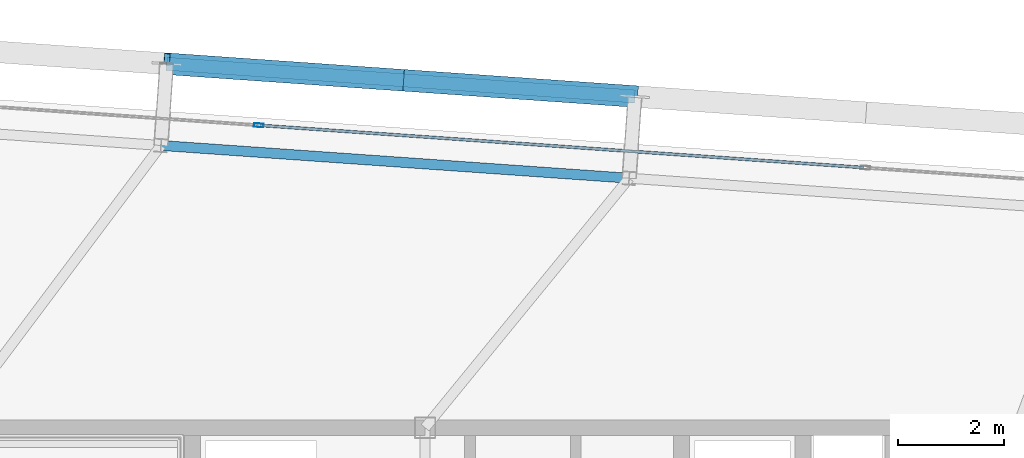
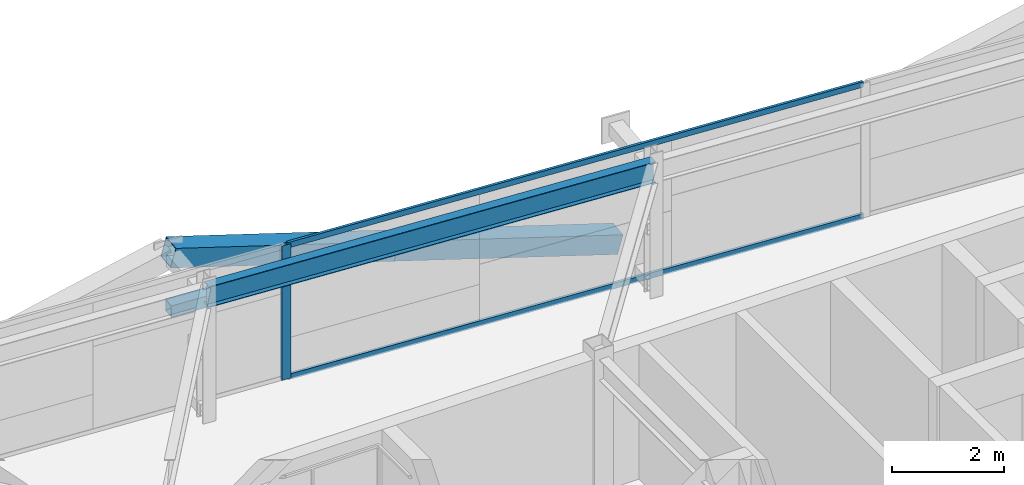
# One storey, part 21 of 39: 6 members, 1 beam, 1 element without a shape of its own.
"""IFC4 building model written with IfcOpenShell, lengths in metres."""

import ifcopenshell
import ifcopenshell.guid

model = None  # the IFC model being written
_history = None  # IfcOwnerHistory: only IFC2X3 demands one
_inside = {}  # id of a spatial element -> (the spatial element, [elements in it])
_under = {}  # id of a project, library or spatial element -> (it, [spatial elements below it])
_declared = {}  # id of a project -> (the project, [libraries it declares])
_typed = {}  # id of a type object -> (the type object, [elements of that type])
_made_of = {}  # id of a material, layer set ... -> (it, [elements and type objects made of it])


def new_model(schema):
    """Start an empty IFC model of exactly this schema.

    Asked for "IFC4X3", IfcOpenShell would pick the latest addendum, in which some entities
    have other attributes; the version numbers below select the first issue.
    IFC2X3 requires an IfcOwnerHistory on every rooted entity: one is made here for all.
    """
    global model, _history
    if schema == "IFC4X3":
        model = ifcopenshell.file(schema_version=(4, 3, 0, 0))
    else:
        model = ifcopenshell.file(schema=schema)
    _inside.clear()
    _under.clear()
    _declared.clear()
    _typed.clear()
    _made_of.clear()
    _history = None
    if model.schema == "IFC2X3":
        org = make("IfcOrganization", Name="unknown")
        user = make(
            "IfcPersonAndOrganization",
            ThePerson=make("IfcPerson", FamilyName="unknown"),
            TheOrganization=org,
        )
        app = make(
            "IfcApplication",
            ApplicationDeveloper=org,
            Version="unknown",
            ApplicationFullName="unknown",
            ApplicationIdentifier="unknown",
        )
        _history = make(
            "IfcOwnerHistory",
            OwningUser=user,
            OwningApplication=app,
            ChangeAction="ADDED",
            CreationDate=0,
        )
    return model


def make(cls, **values):
    """One entity of the class cls with the attributes given. An attribute that is None is left unset."""
    return model.create_entity(
        cls, **{name: value for name, value in values.items() if value is not None}
    )


def rooted(cls, **values):
    """An entity with a GlobalId (a new one), such as an element, a storey or a relation."""
    return make(cls, GlobalId=ifcopenshell.guid.new(), OwnerHistory=_history, **values)


def si_unit(unit_type, name, prefix=None):
    """IfcSIUnit, for example si_unit("LENGTHUNIT", "METRE", prefix="MILLI")."""
    return make("IfcSIUnit", UnitType=unit_type, Prefix=prefix, Name=name)


def assignment(units):
    """IfcUnitAssignment: the units of a project."""
    return None if units is None else make("IfcUnitAssignment", Units=units)


def point(xyz):
    """IfcCartesianPoint."""
    return None if xyz is None else make("IfcCartesianPoint", Coordinates=xyz)


def direction(xyz):
    """IfcDirection."""
    return None if xyz is None else make("IfcDirection", DirectionRatios=xyz)


def frame(location, z_axis=None, x_axis=None):
    """IfcAxis2Placement3D, a coordinate frame: its origin and axes. An axis left out is left unset."""
    return make(
        "IfcAxis2Placement3D",
        Location=point(location),
        Axis=direction(z_axis),
        RefDirection=direction(x_axis),
    )


def frame_2d(location, x_axis=None):
    """IfcAxis2Placement2D, a coordinate frame in the plane: its origin and x axis."""
    return make(
        "IfcAxis2Placement2D", Location=point(location), RefDirection=direction(x_axis)
    )


def origin():
    """The frame at (0, 0, 0) with its axes left unset."""
    return frame((0.0, 0.0, 0.0))


def origin_2d():
    """The frame at (0, 0) in the plane with its x axis left unset."""
    return frame_2d((0.0, 0.0))


def place(relative_to, where):
    """IfcLocalPlacement: puts the frame where relative to a parent placement (None: the world)."""
    return make(
        "IfcLocalPlacement", PlacementRelTo=relative_to, RelativePlacement=where
    )


def context(
    kind, dimensions, precision=None, world=None, true_north=None, identifier=None
):
    """IfcGeometricRepresentationContext, for example the 3D "Model" context."""
    return make(
        "IfcGeometricRepresentationContext",
        ContextIdentifier=identifier,
        ContextType=kind,
        CoordinateSpaceDimension=dimensions,
        Precision=precision,
        WorldCoordinateSystem=world,
        TrueNorth=true_north,
    )


def subcontext(parent, identifier, kind, view, scale=None):
    """IfcGeometricRepresentationSubContext, for example "Body" below "Model"."""
    return make(
        "IfcGeometricRepresentationSubContext",
        ContextIdentifier=identifier,
        ContextType=kind,
        ParentContext=parent,
        TargetScale=scale,
        TargetView=view,
    )


def project(units=None, contexts=None):
    """IfcProject with its units and contexts."""
    return rooted(
        "IfcProject",
        Name="project",
        RepresentationContexts=contexts,
        UnitsInContext=assignment(units),
    )


def spatial(cls, under=None, at=None, **own):
    """A site, building, storey or space (cls), placed at a placement, below another one or the project."""
    s = rooted(cls, ObjectPlacement=at, **own)
    if under is not None:
        _under.setdefault(under.id(), (under, []))[1].append(s)
    return s


def profile(cls, at=None, kind="AREA", **sizes):
    """A parametric profile (cls). Its sizes go by their IFC names, for example OverallWidth=200.0."""
    return make(cls, ProfileType=kind, Position=at, **sizes)


def hollow_rectangle(**sizes):
    """IfcRectangleHollowProfileDef."""
    return profile("IfcRectangleHollowProfileDef", **sizes)


def i_section(**sizes):
    """IfcIShapeProfileDef."""
    return profile("IfcIShapeProfileDef", **sizes)


def extrude(swept, where, along, depth):
    """IfcExtrudedAreaSolid: the profile swept, set in the frame where, extruded along a direction by depth."""
    return make(
        "IfcExtrudedAreaSolid",
        SweptArea=swept,
        Position=where,
        ExtrudedDirection=direction(along),
        Depth=depth,
    )


def shape(context_of_items, identifier, shape_type, items):
    """IfcShapeRepresentation: the items that make up one representation, for example the "Body"."""
    return make(
        "IfcShapeRepresentation",
        ContextOfItems=context_of_items,
        RepresentationIdentifier=identifier,
        RepresentationType=shape_type,
        Items=items,
    )


def source(mapping_origin, context_of_items, identifier, shape_type, items):
    """IfcRepresentationMap: a shape defined once, which mapped items show again and again."""
    return make(
        "IfcRepresentationMap",
        MappingOrigin=mapping_origin,
        MappedRepresentation=shape(context_of_items, identifier, shape_type, items),
    )


def transform(
    local_origin,
    x_axis=None,
    y_axis=None,
    z_axis=None,
    scale=None,
    scale2=None,
    scale3=None,
    uniform=True,
):
    """IfcCartesianTransformationOperator3D, or its non-uniform kind. x_axis, y_axis, z_axis: its Axis1, 2, 3."""
    if uniform:
        return make(
            "IfcCartesianTransformationOperator3D",
            Axis1=direction(x_axis),
            Axis2=direction(y_axis),
            LocalOrigin=point(local_origin),
            Scale=scale,
            Axis3=direction(z_axis),
        )
    return make(
        "IfcCartesianTransformationOperator3DnonUniform",
        Axis1=direction(x_axis),
        Axis2=direction(y_axis),
        LocalOrigin=point(local_origin),
        Scale=scale,
        Axis3=direction(z_axis),
        Scale2=scale2,
        Scale3=scale3,
    )


def mapped(mapping_source, mapping_target):
    """IfcMappedItem: shows the shape of a source again, moved by a transform."""
    return make(
        "IfcMappedItem", MappingSource=mapping_source, MappingTarget=mapping_target
    )


def material(Name=None, Category=None):
    """IfcMaterial."""
    return make("IfcMaterial", Name=Name, Category=Category)


def layer(
    of_material, thickness, ventilated=None, Name=None, Category=None, Priority=None
):
    """IfcMaterialLayer: one layer of a wall or slab, of a material (None: an air gap)."""
    return make(
        "IfcMaterialLayer",
        Material=of_material,
        LayerThickness=thickness,
        IsVentilated=ventilated,
        Name=Name,
        Category=Category,
        Priority=Priority,
    )


def layer_set(layers, Name=None):
    """IfcMaterialLayerSet."""
    return make("IfcMaterialLayerSet", MaterialLayers=layers, LayerSetName=Name)


def material_profile(
    of_material, cross_section, Name=None, Category=None, Priority=None
):
    """IfcMaterialProfile: a cross section and its material."""
    return make(
        "IfcMaterialProfile",
        Name=Name,
        Material=of_material,
        Profile=cross_section,
        Priority=Priority,
        Category=Category,
    )


def profile_set(profiles, Name=None, composite=None):
    """IfcMaterialProfileSet."""
    return make(
        "IfcMaterialProfileSet",
        Name=Name,
        MaterialProfiles=profiles,
        CompositeProfile=composite,
    )


def made_of(thing, what):
    """Note that an element or type object is made of a material, layer set ...; save() writes the relation."""
    if what is not None:
        _made_of.setdefault(what.id(), (what, []))[1].append(thing)
    return thing


def type_object(cls, material=None, **own):
    """A type object (cls), such as IfcWallType, which elements share."""
    return made_of(rooted(cls, **own), material)


def element(
    cls,
    number,
    at=None,
    inside=None,
    cuts=None,
    type_object=None,
    material=None,
    context=None,
    identifier="Body",
    shape_type=None,
    held_by="IfcProductDefinitionShape",
    body=None,
    shapes=None,
    **own,
):
    """One element of the class cls, such as IfcWall. Its Tag is "e" and its number.

    at: its placement. inside: the storey or other place that contains it. cuts: it is an
    opening in that element (IfcRelVoidsElement). A single representation is given by context,
    identifier, shape_type and body (its items); several are given by shapes. held_by: the class
    of the entity that holds the representations. save() writes the other relations.
    """
    e = rooted(cls, Tag="e%d" % number, ObjectPlacement=at, **own)
    if body is not None:
        shapes = [shape(context, identifier, shape_type, body)]
    if shapes is not None:
        e.Representation = make(held_by, Representations=shapes)
    if inside is not None:
        _inside.setdefault(inside.id(), (inside, []))[1].append(e)
    if cuts is not None:
        rooted(
            "IfcRelVoidsElement", RelatingBuildingElement=cuts, RelatedOpeningElement=e
        )
    if type_object is not None:
        _typed.setdefault(type_object.id(), (type_object, []))[1].append(e)
    return made_of(e, material)


def aggregate(whole, parts):
    """IfcRelAggregates: a whole, such as a stair, and the parts it consists of."""
    return rooted("IfcRelAggregates", RelatingObject=whole, RelatedObjects=parts)


def save(model, path):
    """Write the relations noted so far, then the file.

    IfcRelAggregates (storeys below a building ...), IfcRelContainedInSpatialStructure (elements
    in a storey), IfcRelDefinesByType, IfcRelAssociatesMaterial and IfcRelDeclares: one each for
    every whole, place, type object, material and project.
    """
    for whole, parts in _under.values():
        aggregate(whole, parts)
    for where, things in _inside.values():
        rooted(
            "IfcRelContainedInSpatialStructure",
            RelatedElements=things,
            RelatingStructure=where,
        )
    for kind, things in _typed.values():
        rooted("IfcRelDefinesByType", RelatedObjects=things, RelatingType=kind)
    for what, things in _made_of.values():
        rooted("IfcRelAssociatesMaterial", RelatedObjects=things, RelatingMaterial=what)
    for by, libraries in _declared.values():
        rooted("IfcRelDeclares", RelatingContext=by, RelatedDefinitions=libraries)
    model.write(path)


model = new_model("IFC4")

# Units and contexts
model_context = context("Model", 3, precision=1e-05, world=origin(), true_north=direction((0.0, 1.0)))
body_context = subcontext(model_context, "Body", "Model", "MODEL_VIEW")
ifc_project = project(units=[si_unit("LENGTHUNIT", "METRE"), si_unit("AREAUNIT", "SQUARE_METRE"), si_unit("VOLUMEUNIT", "CUBIC_METRE"), si_unit("PLANEANGLEUNIT", "RADIAN"), si_unit("MASSUNIT", "GRAM", prefix="KILO")], contexts=[model_context])

# Site, building, storey
site_placement = place(None, origin())
site = spatial("IfcSite", under=ifc_project, at=site_placement, CompositionType="ELEMENT")
building_placement = place(site_placement, origin())
building = spatial("IfcBuilding", under=site, at=building_placement, Name="Taldren Reach Tower", CompositionType="ELEMENT")
storey_placement = place(building_placement, frame((0.0, 0.0, 151.89990234375)))
storey = spatial("IfcBuildingStorey", under=building, at=storey_placement, Name="L46", CompositionType="ELEMENT", Elevation=151.89990234375)

# Beam
ifc_material_1 = material(Name="Steel Gr 350 (350PLUS)", Category="steel")
ifc_material_profile_1 = material_profile(ifc_material_1, i_section(OverallWidth=0.18994140625, OverallDepth=0.4541015625, WebThickness=0.008544921875, FlangeThickness=0.0126953125, at=origin_2d()), Name="460UB67.1")
ifc_profile_set_1 = profile_set([ifc_material_profile_1], Name="Steel Gr 350 (350PLUS)")
beam_type = type_object("IfcBeamType", Name="SP-UB460B", PredefinedType="SPANDREL", material=ifc_profile_set_1)
shared_shape_1 = source(origin(), body_context, "Body", "SweptSolid", [
    extrude(i_section(OverallWidth=0.18994140625, OverallDepth=0.4541015625, WebThickness=0.008544921875, FlangeThickness=0.0126953125, at=origin_2d()), origin(), (0.0, 0.0, 1.0), 8.880126953125),
])
beam_placement = place(storey_placement, frame((31.861328125, 36.719970703125, 2.703125), z_axis=(-0.997564479639, 0.069750333063, 0.0), x_axis=(-0.069750333063, -0.997564479639, 0.0)))
element("IfcBeam", 1, at=beam_placement, inside=storey, type_object=beam_type, Name="Perimeter spandrel B3 N3-N2 L46", PredefinedType="SPANDREL", context=body_context, shape_type="MappedRepresentation", body=[
    mapped(shared_shape_1, transform((0.0, 0.0, 0.0), scale=1.0)),
])

# Members
ifc_material_2 = material(Name="Steel Gr 350 (C350L0)", Category="steel")
ifc_material_profile_2 = material_profile(ifc_material_2, hollow_rectangle(XDim=0.25, YDim=0.25, WallThickness=0.010009765625, at=origin_2d()), Name="250x250x10.0SHS")
ifc_profile_set_2 = profile_set([ifc_material_profile_2], Name="Steel Gr 350 (C350L0)")
member_type_1 = type_object("IfcMemberType", Name="MB-POST250", PredefinedType="POST", material=ifc_profile_set_2)
shared_shape_2 = source(origin(), body_context, "Body", "SweptSolid", [
    extrude(hollow_rectangle(XDim=0.25, YDim=0.25, WallThickness=0.010009765625, at=origin_2d()), origin(), (0.0, 0.0, 1.0), 8.880126953125),
])
member_1_placement = place(storey_placement, frame((23.111083984375, 38.885498046875, 1.43505859375), z_axis=(0.997564479639, -0.069750333063, 0.0), x_axis=(0.069750333063, 0.997564479639, 0.0)))
element("IfcMember", 2, at=member_1_placement, inside=storey, type_object=member_type_1, Name="Exoskeleton mid-height ring chord B3-N2 L46", PredefinedType="POST", context=body_context, shape_type="MappedRepresentation", body=[
    mapped(shared_shape_2, transform((0.0, 0.0, 0.0), scale=1.0)),
])
ifc_material_3 = material(Name="Steel Gr 450 (C450L0)", Category="steel")
ifc_material_profile_3 = material_profile(ifc_material_3, hollow_rectangle(XDim=0.409912109375, YDim=0.409912109375, WallThickness=0.01611328125, at=origin_2d()), Name="410x410x16.0SHS")
ifc_profile_set_3 = profile_set([ifc_material_profile_3], Name="Steel Gr 450 (C450L0)")
member_type_2 = type_object("IfcMemberType", Name="MB-EXO406", PredefinedType="BRACE", material=ifc_profile_set_3)
shared_shape_3 = source(origin(), body_context, "Body", "SweptSolid", [
    extrude(hollow_rectangle(XDim=0.409912109375, YDim=0.409912109375, WallThickness=0.01611328125, at=origin_2d()), origin(), (0.0, 0.0, 1.0), 4.603271484375),
])
for number, where, z_axis, x_axis, name in (
    (3, (31.969482421875, 38.26611328125, 0.22021484375), (-0.962195820062, 0.067303852699, 0.263911718699), (-0.06977769246, -0.997562566276, 0.0), "Exoskeleton Diagrid Brace B3-N2 L46"),
    (4, (27.540283203125, 38.575927734375, 1.43505859375), (-0.962185784239, 0.067250114343, 0.263962002434), (-0.069722973508, -0.997566392259, 0.0), "Exoskeleton Diagrid Brace B3-N2 L46"),
):
    element("IfcMember", number, at=place(storey_placement, frame(where, z_axis=z_axis, x_axis=x_axis)), inside=storey, type_object=member_type_2, Name=name, PredefinedType="BRACE", context=body_context, shape_type="MappedRepresentation", body=[
        mapped(shared_shape_3, transform((0.0, 0.0, 0.0), scale=1.0)),
    ])

# Curtain wall, members
ifc_material_4 = material(Name="Aluminium and Low-E Glass Unitised System", Category="aluminium")
ifc_layer = layer(ifc_material_4, 0.159912109375)
ifc_layer_set = layer_set([ifc_layer], Name="Aluminium and Low-E Glass Unitised System")
curtain_wall_type = type_object("IfcCurtainWallType", Name="CW-SYS-4", PredefinedType="NOTDEFINED", material=ifc_layer_set)
curtain_wall_placement = place(storey_placement, origin())
curtain_wall = element("IfcCurtainWall", 5, at=curtain_wall_placement, inside=storey, type_object=curtain_wall_type, Name="Unitised curtain wall CW-L46-N", PredefinedType="NOTDEFINED")
ifc_material_5 = material(Name="Anodised Aluminium 6063-T6", Category="aluminium")
ifc_material_profile_4 = material_profile(ifc_material_5, hollow_rectangle(XDim=0.070068359375, YDim=0.179931640625, WallThickness=0.00390625, at=origin_2d()), Name="ALU-180x70x4RHS")
ifc_profile_set_4 = profile_set([ifc_material_profile_4], Name="Anodised Aluminium 6063-T6")
member_type_3 = type_object("IfcMemberType", Name="CW-MUL-180", PredefinedType="MULLION", material=ifc_profile_set_4)
shared_shape_4 = source(origin(), body_context, "Body", "SweptSolid", [
    extrude(hollow_rectangle(XDim=0.070068359375, YDim=0.179931640625, WallThickness=0.00390625, at=origin_2d()), origin(), (0.0, 0.0, 1.0), 2.93017578125),
])
member_2_placement = place(storey_placement, frame((24.85400390625, 37.72119140625, 0.0), z_axis=(0.0, 0.0, 1.0), x_axis=(-0.06975651593, -0.99756404731, 0.0)))
member_2 = element("IfcMember", 6, at=member_2_placement, type_object=member_type_3, Name="CW-4 mullion 4", PredefinedType="MULLION", context=body_context, shape_type="MappedRepresentation", body=[
    mapped(shared_shape_4, transform((0.0, 0.0, 0.0), scale=1.0)),
])
ifc_material_profile_5 = material_profile(ifc_material_5, hollow_rectangle(XDim=0.054931640625, YDim=0.1201171875, WallThickness=0.0029296875, at=origin_2d()), Name="ALU-120x55x3RHS")
ifc_profile_set_5 = profile_set([ifc_material_profile_5], Name="Anodised Aluminium 6063-T6")
member_type_4 = type_object("IfcMemberType", Name="CW-TRN-135", PredefinedType="USERDEFINED", material=ifc_profile_set_5)
shared_shape_5 = source(origin(), body_context, "Body", "SweptSolid", [
    extrude(hollow_rectangle(XDim=0.054931640625, YDim=0.1201171875, WallThickness=0.0029296875, at=origin_2d()), origin(), (0.0, 0.0, 1.0), 11.43017578125),
])
member_3_placement = place(storey_placement, frame((36.291259765625, 36.92138671875, 0.027587890625), z_axis=(-0.997563844883, 0.069759410701, 0.0), x_axis=(-0.069759410701, -0.997563844883, 0.0)))
member_3 = element("IfcMember", 7, at=member_3_placement, type_object=member_type_4, Name="CW-4 transom 3.1", ObjectType="TRANSOM", PredefinedType="USERDEFINED", context=body_context, shape_type="MappedRepresentation", body=[
    mapped(shared_shape_5, transform((0.0, 0.0, 0.0), scale=1.0)),
])
member_4_placement = place(storey_placement, frame((36.291259765625, 36.92138671875, 2.902587890625), z_axis=(-0.997563844883, 0.069759410701, 0.0), x_axis=(-0.069759410701, -0.997563844883, 0.0)))
member_4 = element("IfcMember", 8, at=member_4_placement, type_object=member_type_4, Name="CW-4 transom 3.2", ObjectType="TRANSOM", PredefinedType="USERDEFINED", context=body_context, shape_type="MappedRepresentation", body=[
    mapped(shared_shape_5, transform((0.0, 0.0, 0.0), scale=1.0)),
])
aggregate(curtain_wall, [member_2, member_3, member_4])

save(model, "model.ifc")
